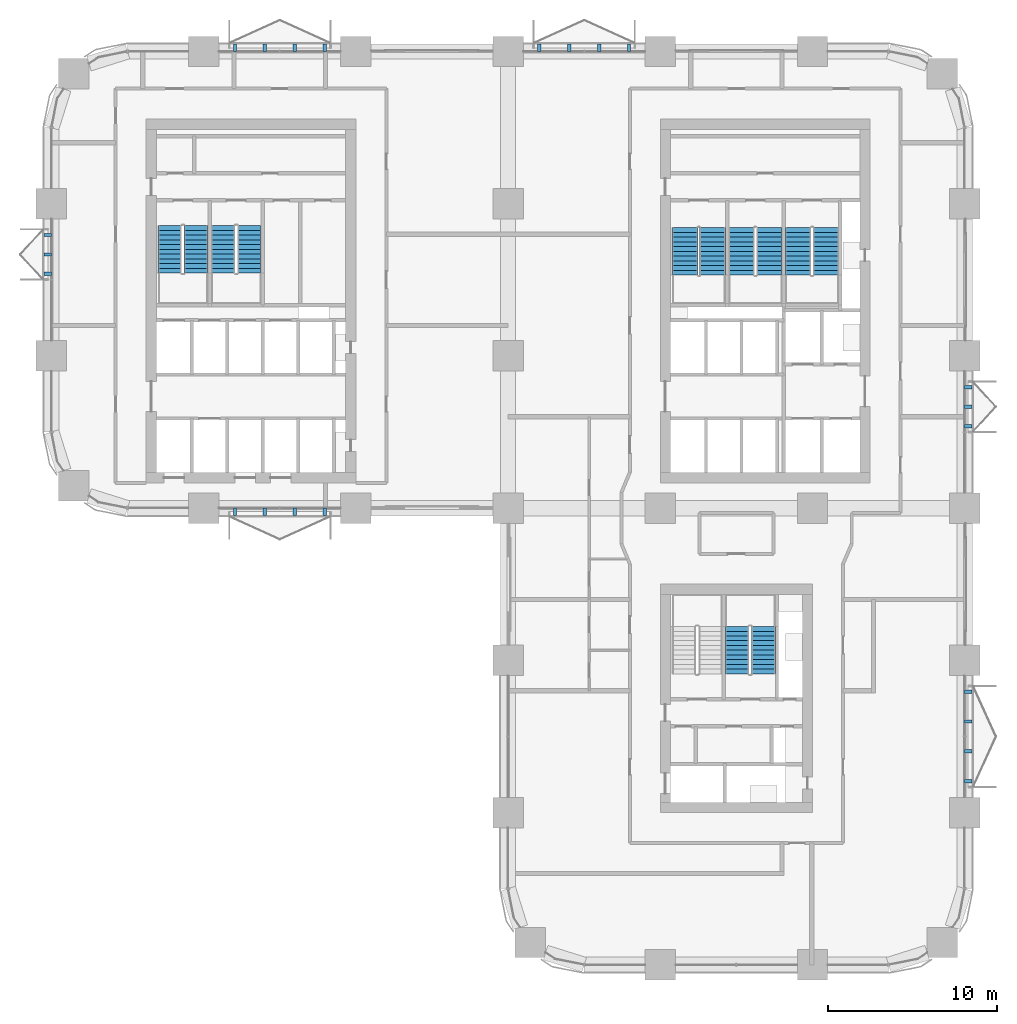
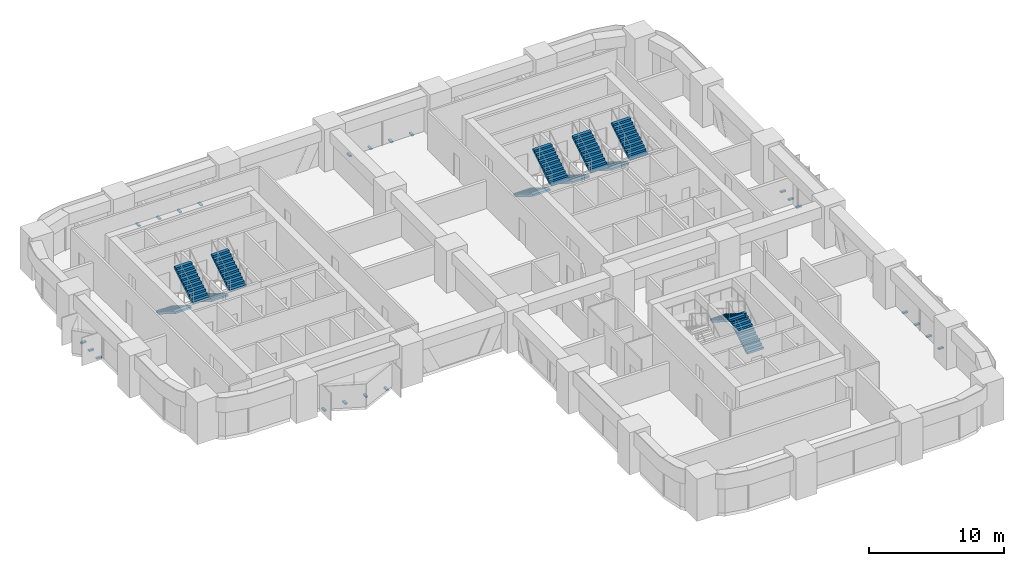
# One storey, part 16 of 18: 22 discrete accessories, 12 stair flights, 6 elements without a shape of their own.
"""IFC4 building model written with IfcOpenShell, lengths in metres."""

from ifc_helpers import new_model, si_unit, direction, frame, origin, origin_2d, place, context, subcontext, project, spatial, polyline, rectangle, outline, extrude, material, type_object, element, aggregate, save


model = new_model("IFC4")

# Units and contexts
model_context = context("Model", 3, precision=1e-05, world=origin(), true_north=direction((0.0, 1.0)))
body_context = subcontext(model_context, "Body", "Model", "MODEL_VIEW")
ifc_project = project(units=[si_unit("LENGTHUNIT", "METRE"), si_unit("AREAUNIT", "SQUARE_METRE"), si_unit("VOLUMEUNIT", "CUBIC_METRE"), si_unit("PLANEANGLEUNIT", "RADIAN"), si_unit("MASSUNIT", "GRAM", prefix="KILO")], contexts=[model_context])

# Site, building, storey
site_placement = place(None, origin())
site = spatial("IfcSite", under=ifc_project, at=site_placement, CompositionType="ELEMENT")
building_placement = place(site_placement, origin())
building = spatial("IfcBuilding", under=site, at=building_placement, Name="Tessera Arch", CompositionType="ELEMENT")
storey_placement = place(building_placement, frame((0.0, 0.0, 89.199951171875)))
storey = spatial("IfcBuildingStorey", under=building, at=storey_placement, Name="L20", CompositionType="ELEMENT", Elevation=89.199951171875)

# Stair, stair flights
ifc_material_1 = material(Name="Concrete C40/50", Category="concrete")
stair_type_1 = type_object("IfcStairType", Name="Dogleg stair 1400", PredefinedType="HALF_TURN_STAIR", material=ifc_material_1)
stair_1_placement = place(storey_placement, origin())
stair_1 = element("IfcStair", 1, at=stair_1_placement, inside=storey, type_object=stair_type_1, Name="L20 S2a", PredefinedType="HALF_TURN_STAIR")
ifc_material_2 = material(Name="Concrete C40/50", Category="concrete")
stair_flight_type_1 = type_object("IfcStairFlightType", Name="Stair flight 1400", PredefinedType="STRAIGHT", material=ifc_material_2)
stair_flight_1_placement = place(storey_placement, frame((7.0, 43.699951171875, 0.0), z_axis=(0.0, 0.0, 1.0), x_axis=(0.0, -1.0, 0.0)))
stair_flight_1 = element("IfcStairFlight", 2, at=stair_flight_1_placement, type_object=stair_flight_type_1, Name="S2a flight 1", NumberOfRisers=11, NumberOfTreads=10, PredefinedType="STRAIGHT", RiserHeight=0.172727273, TreadLength=0.28, context=body_context, shape_type="SweptSolid", body=[
    extrude(outline(polyline([(0.0, 0.0), (0.0, 0.172607421875), (0.280029296875, 0.172607421875), (0.280029296875, 0.345458984375), (0.56005859375, 0.345458984375), (0.56005859375, 0.51806640625), (0.840087890625, 0.51806640625), (0.840087890625, 0.69091796875), (1.1201171875, 0.69091796875), (1.1201171875, 0.863525390625), (1.39990234375, 0.863525390625), (1.39990234375, 1.036376953125), (1.679931640625, 1.036376953125), (1.679931640625, 1.208984375), (1.9599609375, 1.208984375), (1.9599609375, 1.3818359375), (2.239990234375, 1.3818359375), (2.239990234375, 1.554443359375), (2.52001953125, 1.554443359375), (2.52001953125, 1.727294921875), (2.800048828125, 1.727294921875), (2.800048828125, 1.89990234375), (2.800048828125, 1.551025390625), (0.285400390625, 0.0), (0.0, 0.0)])), frame((0.0, 0.699951171875, 0.0), z_axis=(0.0, -1.0, 0.0), x_axis=(1.0, 0.0, 0.0)), (0.0, 0.0, 1.0), 1.39990234375),
])
stair_flight_2_placement = place(storey_placement, frame((8.550048828125, 40.89990234375, 1.900146484375), z_axis=(0.0, 0.0, 1.0), x_axis=(0.0, 1.0, 0.0)))
stair_flight_2 = element("IfcStairFlight", 3, at=stair_flight_2_placement, type_object=stair_flight_type_1, Name="S2a flight 2", NumberOfRisers=11, NumberOfTreads=10, PredefinedType="STRAIGHT", RiserHeight=0.172727273, TreadLength=0.28, context=body_context, shape_type="SweptSolid", body=[
    extrude(outline(polyline([(0.0, 0.0), (0.0, 0.172607421875), (0.280029296875, 0.172607421875), (0.280029296875, 0.345458984375), (0.56005859375, 0.345458984375), (0.56005859375, 0.51806640625), (0.840087890625, 0.51806640625), (0.840087890625, 0.69091796875), (1.1201171875, 0.69091796875), (1.1201171875, 0.863525390625), (1.39990234375, 0.863525390625), (1.39990234375, 1.036376953125), (1.679931640625, 1.036376953125), (1.679931640625, 1.208984375), (1.9599609375, 1.208984375), (1.9599609375, 1.3818359375), (2.239990234375, 1.3818359375), (2.239990234375, 1.554443359375), (2.52001953125, 1.554443359375), (2.52001953125, 1.727294921875), (2.800048828125, 1.727294921875), (2.800048828125, 1.89990234375), (2.800048828125, 1.551025390625), (0.285400390625, 0.0), (0.0, 0.0)])), frame((0.0, 0.699951171875, 0.0), z_axis=(0.0, -1.0, 0.0), x_axis=(1.0, 0.0, 0.0)), (0.0, 0.0, 1.0), 1.39990234375),
])
aggregate(stair_1, [stair_flight_1, stair_flight_2])

stair_2_placement = place(storey_placement, origin())
stair_2 = element("IfcStair", 4, at=stair_2_placement, inside=storey, type_object=stair_type_1, Name="L20 S2b", PredefinedType="HALF_TURN_STAIR")
stair_flight_3_placement = place(storey_placement, frame((10.14990234375, 43.699951171875, 0.0), z_axis=(0.0, 0.0, 1.0), x_axis=(0.0, -1.0, 0.0)))
stair_flight_3 = element("IfcStairFlight", 5, at=stair_flight_3_placement, type_object=stair_flight_type_1, Name="S2b flight 1", NumberOfRisers=11, NumberOfTreads=10, PredefinedType="STRAIGHT", RiserHeight=0.172727273, TreadLength=0.28, context=body_context, shape_type="SweptSolid", body=[
    extrude(outline(polyline([(0.0, 0.0), (0.0, 0.172607421875), (0.280029296875, 0.172607421875), (0.280029296875, 0.345458984375), (0.56005859375, 0.345458984375), (0.56005859375, 0.51806640625), (0.840087890625, 0.51806640625), (0.840087890625, 0.69091796875), (1.1201171875, 0.69091796875), (1.1201171875, 0.863525390625), (1.39990234375, 0.863525390625), (1.39990234375, 1.036376953125), (1.679931640625, 1.036376953125), (1.679931640625, 1.208984375), (1.9599609375, 1.208984375), (1.9599609375, 1.3818359375), (2.239990234375, 1.3818359375), (2.239990234375, 1.554443359375), (2.52001953125, 1.554443359375), (2.52001953125, 1.727294921875), (2.800048828125, 1.727294921875), (2.800048828125, 1.89990234375), (2.800048828125, 1.551025390625), (0.285400390625, 0.0), (0.0, 0.0)])), frame((0.0, 0.699951171875, 0.0), z_axis=(0.0, -1.0, 0.0), x_axis=(1.0, 0.0, 0.0)), (0.0, 0.0, 1.0), 1.39990234375),
])
stair_flight_4_placement = place(storey_placement, frame((11.699951171875, 40.89990234375, 1.900146484375), z_axis=(0.0, 0.0, 1.0), x_axis=(0.0, 1.0, 0.0)))
stair_flight_4 = element("IfcStairFlight", 6, at=stair_flight_4_placement, type_object=stair_flight_type_1, Name="S2b flight 2", NumberOfRisers=11, NumberOfTreads=10, PredefinedType="STRAIGHT", RiserHeight=0.172727273, TreadLength=0.28, context=body_context, shape_type="SweptSolid", body=[
    extrude(outline(polyline([(0.0, 0.0), (0.0, 0.172607421875), (0.280029296875, 0.172607421875), (0.280029296875, 0.345458984375), (0.56005859375, 0.345458984375), (0.56005859375, 0.51806640625), (0.840087890625, 0.51806640625), (0.840087890625, 0.69091796875), (1.1201171875, 0.69091796875), (1.1201171875, 0.863525390625), (1.39990234375, 0.863525390625), (1.39990234375, 1.036376953125), (1.679931640625, 1.036376953125), (1.679931640625, 1.208984375), (1.9599609375, 1.208984375), (1.9599609375, 1.3818359375), (2.239990234375, 1.3818359375), (2.239990234375, 1.554443359375), (2.52001953125, 1.554443359375), (2.52001953125, 1.727294921875), (2.800048828125, 1.727294921875), (2.800048828125, 1.89990234375), (2.800048828125, 1.551025390625), (0.285400390625, 0.0), (0.0, 0.0)])), frame((0.0, 0.699951171875, 0.0), z_axis=(0.0, -1.0, 0.0), x_axis=(1.0, 0.0, 0.0)), (0.0, 0.0, 1.0), 1.39990234375),
])
aggregate(stair_2, [stair_flight_3, stair_flight_4])

stair_3_placement = place(storey_placement, origin())
stair_3 = element("IfcStair", 7, at=stair_3_placement, inside=storey, type_object=stair_type_1, Name="L20 S3b", PredefinedType="HALF_TURN_STAIR")
stair_flight_5_placement = place(storey_placement, frame((42.10009765625, 17.199951171875, 0.0), z_axis=(0.0, 0.0, 1.0), x_axis=(0.0, 1.0, 0.0)))
stair_flight_5 = element("IfcStairFlight", 8, at=stair_flight_5_placement, type_object=stair_flight_type_1, Name="S3b flight 1", NumberOfRisers=11, NumberOfTreads=10, PredefinedType="STRAIGHT", RiserHeight=0.172727273, TreadLength=0.28, context=body_context, shape_type="SweptSolid", body=[
    extrude(outline(polyline([(0.0, 0.0), (0.0, 0.172607421875), (0.280029296875, 0.172607421875), (0.280029296875, 0.345458984375), (0.56005859375, 0.345458984375), (0.56005859375, 0.51806640625), (0.840087890625, 0.51806640625), (0.840087890625, 0.69091796875), (1.1201171875, 0.69091796875), (1.1201171875, 0.863525390625), (1.39990234375, 0.863525390625), (1.39990234375, 1.036376953125), (1.679931640625, 1.036376953125), (1.679931640625, 1.208984375), (1.9599609375, 1.208984375), (1.9599609375, 1.3818359375), (2.239990234375, 1.3818359375), (2.239990234375, 1.554443359375), (2.52001953125, 1.554443359375), (2.52001953125, 1.727294921875), (2.800048828125, 1.727294921875), (2.800048828125, 1.89990234375), (2.800048828125, 1.551025390625), (0.285400390625, 0.0), (0.0, 0.0)])), frame((0.0, 0.699951171875, 0.0), z_axis=(0.0, -1.0, 0.0), x_axis=(1.0, 0.0, 0.0)), (0.0, 0.0, 1.0), 1.39990234375),
])
stair_flight_6_placement = place(storey_placement, frame((40.550048828125, 20.0, 1.900146484375), z_axis=(0.0, 0.0, 1.0), x_axis=(0.0, -1.0, 0.0)))
stair_flight_6 = element("IfcStairFlight", 9, at=stair_flight_6_placement, type_object=stair_flight_type_1, Name="S3b flight 2", NumberOfRisers=11, NumberOfTreads=10, PredefinedType="STRAIGHT", RiserHeight=0.172727273, TreadLength=0.28, context=body_context, shape_type="SweptSolid", body=[
    extrude(outline(polyline([(0.0, 0.0), (0.0, 0.172607421875), (0.280029296875, 0.172607421875), (0.280029296875, 0.345458984375), (0.56005859375, 0.345458984375), (0.56005859375, 0.51806640625), (0.840087890625, 0.51806640625), (0.840087890625, 0.69091796875), (1.1201171875, 0.69091796875), (1.1201171875, 0.863525390625), (1.39990234375, 0.863525390625), (1.39990234375, 1.036376953125), (1.679931640625, 1.036376953125), (1.679931640625, 1.208984375), (1.9599609375, 1.208984375), (1.9599609375, 1.3818359375), (2.239990234375, 1.3818359375), (2.239990234375, 1.554443359375), (2.52001953125, 1.554443359375), (2.52001953125, 1.727294921875), (2.800048828125, 1.727294921875), (2.800048828125, 1.89990234375), (2.800048828125, 1.551025390625), (0.285400390625, 0.0), (0.0, 0.0)])), frame((0.0, 0.699951171875, 0.0), z_axis=(0.0, -1.0, 0.0), x_axis=(1.0, 0.0, 0.0)), (0.0, 0.0, 1.0), 1.39990234375),
])
aggregate(stair_3, [stair_flight_5, stair_flight_6])

ifc_material_3 = material(Name="Concrete C40/50", Category="concrete")
stair_type_2 = type_object("IfcStairType", Name="Dogleg stair 1520", PredefinedType="HALF_TURN_STAIR", material=ifc_material_3)
stair_4_placement = place(storey_placement, origin())
stair_4 = element("IfcStair", 10, at=stair_4_placement, inside=storey, type_object=stair_type_2, Name="L20 S1a", PredefinedType="HALF_TURN_STAIR")
ifc_material_4 = material(Name="Concrete C40/50", Category="concrete")
stair_flight_type_2 = type_object("IfcStairFlightType", Name="Stair flight 1520", PredefinedType="STRAIGHT", material=ifc_material_4)
stair_flight_7_placement = place(storey_placement, frame((37.4599609375, 43.580078125, 0.0), z_axis=(0.0, 0.0, 1.0), x_axis=(0.0, -1.0, 0.0)))
stair_flight_7 = element("IfcStairFlight", 11, at=stair_flight_7_placement, type_object=stair_flight_type_2, Name="S1a flight 1", NumberOfRisers=11, NumberOfTreads=10, PredefinedType="STRAIGHT", RiserHeight=0.172727273, TreadLength=0.28, context=body_context, shape_type="SweptSolid", body=[
    extrude(outline(polyline([(0.0, 0.0), (0.0, 0.172607421875), (0.280029296875, 0.172607421875), (0.280029296875, 0.345458984375), (0.56005859375, 0.345458984375), (0.56005859375, 0.51806640625), (0.840087890625, 0.51806640625), (0.840087890625, 0.69091796875), (1.1201171875, 0.69091796875), (1.1201171875, 0.863525390625), (1.39990234375, 0.863525390625), (1.39990234375, 1.036376953125), (1.679931640625, 1.036376953125), (1.679931640625, 1.208984375), (1.9599609375, 1.208984375), (1.9599609375, 1.3818359375), (2.239990234375, 1.3818359375), (2.239990234375, 1.554443359375), (2.52001953125, 1.554443359375), (2.52001953125, 1.727294921875), (2.800048828125, 1.727294921875), (2.800048828125, 1.89990234375), (2.800048828125, 1.551025390625), (0.285400390625, 0.0), (0.0, 0.0)])), frame((0.0, 0.760009765625, 0.0), z_axis=(0.0, -1.0, 0.0), x_axis=(1.0, 0.0, 0.0)), (0.0, 0.0, 1.0), 1.52001953125),
])
stair_flight_8_placement = place(storey_placement, frame((39.090087890625, 40.780029296875, 1.900146484375), z_axis=(0.0, 0.0, 1.0), x_axis=(0.0, 1.0, 0.0)))
stair_flight_8 = element("IfcStairFlight", 12, at=stair_flight_8_placement, type_object=stair_flight_type_2, Name="S1a flight 2", NumberOfRisers=11, NumberOfTreads=10, PredefinedType="STRAIGHT", RiserHeight=0.172727273, TreadLength=0.28, context=body_context, shape_type="SweptSolid", body=[
    extrude(outline(polyline([(0.0, 0.0), (0.0, 0.172607421875), (0.280029296875, 0.172607421875), (0.280029296875, 0.345458984375), (0.56005859375, 0.345458984375), (0.56005859375, 0.51806640625), (0.840087890625, 0.51806640625), (0.840087890625, 0.69091796875), (1.1201171875, 0.69091796875), (1.1201171875, 0.863525390625), (1.39990234375, 0.863525390625), (1.39990234375, 1.036376953125), (1.679931640625, 1.036376953125), (1.679931640625, 1.208984375), (1.9599609375, 1.208984375), (1.9599609375, 1.3818359375), (2.239990234375, 1.3818359375), (2.239990234375, 1.554443359375), (2.52001953125, 1.554443359375), (2.52001953125, 1.727294921875), (2.800048828125, 1.727294921875), (2.800048828125, 1.89990234375), (2.800048828125, 1.551025390625), (0.285400390625, 0.0), (0.0, 0.0)])), frame((0.0, 0.760009765625, 0.0), z_axis=(0.0, -1.0, 0.0), x_axis=(1.0, 0.0, 0.0)), (0.0, 0.0, 1.0), 1.52001953125),
])
aggregate(stair_4, [stair_flight_7, stair_flight_8])

stair_5_placement = place(storey_placement, origin())
stair_5 = element("IfcStair", 13, at=stair_5_placement, inside=storey, type_object=stair_type_2, Name="L20 S1b", PredefinedType="HALF_TURN_STAIR")
stair_flight_9_placement = place(storey_placement, frame((40.81005859375, 43.580078125, 0.0), z_axis=(0.0, 0.0, 1.0), x_axis=(0.0, -1.0, 0.0)))
stair_flight_9 = element("IfcStairFlight", 14, at=stair_flight_9_placement, type_object=stair_flight_type_2, Name="S1b flight 1", NumberOfRisers=11, NumberOfTreads=10, PredefinedType="STRAIGHT", RiserHeight=0.172727273, TreadLength=0.28, context=body_context, shape_type="SweptSolid", body=[
    extrude(outline(polyline([(0.0, 0.0), (0.0, 0.172607421875), (0.280029296875, 0.172607421875), (0.280029296875, 0.345458984375), (0.56005859375, 0.345458984375), (0.56005859375, 0.51806640625), (0.840087890625, 0.51806640625), (0.840087890625, 0.69091796875), (1.1201171875, 0.69091796875), (1.1201171875, 0.863525390625), (1.39990234375, 0.863525390625), (1.39990234375, 1.036376953125), (1.679931640625, 1.036376953125), (1.679931640625, 1.208984375), (1.9599609375, 1.208984375), (1.9599609375, 1.3818359375), (2.239990234375, 1.3818359375), (2.239990234375, 1.554443359375), (2.52001953125, 1.554443359375), (2.52001953125, 1.727294921875), (2.800048828125, 1.727294921875), (2.800048828125, 1.89990234375), (2.800048828125, 1.551025390625), (0.285400390625, 0.0), (0.0, 0.0)])), frame((0.0, 0.760009765625, 0.0), z_axis=(0.0, -1.0, 0.0), x_axis=(1.0, 0.0, 0.0)), (0.0, 0.0, 1.0), 1.52001953125),
])
stair_flight_10_placement = place(storey_placement, frame((42.43994140625, 40.780029296875, 1.900146484375), z_axis=(0.0, 0.0, 1.0), x_axis=(0.0, 1.0, 0.0)))
stair_flight_10 = element("IfcStairFlight", 15, at=stair_flight_10_placement, type_object=stair_flight_type_2, Name="S1b flight 2", NumberOfRisers=11, NumberOfTreads=10, PredefinedType="STRAIGHT", RiserHeight=0.172727273, TreadLength=0.28, context=body_context, shape_type="SweptSolid", body=[
    extrude(outline(polyline([(0.0, 0.0), (0.0, 0.172607421875), (0.280029296875, 0.172607421875), (0.280029296875, 0.345458984375), (0.56005859375, 0.345458984375), (0.56005859375, 0.51806640625), (0.840087890625, 0.51806640625), (0.840087890625, 0.69091796875), (1.1201171875, 0.69091796875), (1.1201171875, 0.863525390625), (1.39990234375, 0.863525390625), (1.39990234375, 1.036376953125), (1.679931640625, 1.036376953125), (1.679931640625, 1.208984375), (1.9599609375, 1.208984375), (1.9599609375, 1.3818359375), (2.239990234375, 1.3818359375), (2.239990234375, 1.554443359375), (2.52001953125, 1.554443359375), (2.52001953125, 1.727294921875), (2.800048828125, 1.727294921875), (2.800048828125, 1.89990234375), (2.800048828125, 1.551025390625), (0.285400390625, 0.0), (0.0, 0.0)])), frame((0.0, 0.760009765625, 0.0), z_axis=(0.0, -1.0, 0.0), x_axis=(1.0, 0.0, 0.0)), (0.0, 0.0, 1.0), 1.52001953125),
])
aggregate(stair_5, [stair_flight_9, stair_flight_10])

stair_6_placement = place(storey_placement, origin())
stair_6 = element("IfcStair", 16, at=stair_6_placement, inside=storey, type_object=stair_type_2, Name="L20 S1c", PredefinedType="HALF_TURN_STAIR")
stair_flight_11_placement = place(storey_placement, frame((44.159912109375, 43.580078125, 0.0), z_axis=(0.0, 0.0, 1.0), x_axis=(0.0, -1.0, 0.0)))
stair_flight_11 = element("IfcStairFlight", 17, at=stair_flight_11_placement, type_object=stair_flight_type_2, Name="S1c flight 1", NumberOfRisers=11, NumberOfTreads=10, PredefinedType="STRAIGHT", RiserHeight=0.172727273, TreadLength=0.28, context=body_context, shape_type="SweptSolid", body=[
    extrude(outline(polyline([(0.0, 0.0), (0.0, 0.172607421875), (0.280029296875, 0.172607421875), (0.280029296875, 0.345458984375), (0.56005859375, 0.345458984375), (0.56005859375, 0.51806640625), (0.840087890625, 0.51806640625), (0.840087890625, 0.69091796875), (1.1201171875, 0.69091796875), (1.1201171875, 0.863525390625), (1.39990234375, 0.863525390625), (1.39990234375, 1.036376953125), (1.679931640625, 1.036376953125), (1.679931640625, 1.208984375), (1.9599609375, 1.208984375), (1.9599609375, 1.3818359375), (2.239990234375, 1.3818359375), (2.239990234375, 1.554443359375), (2.52001953125, 1.554443359375), (2.52001953125, 1.727294921875), (2.800048828125, 1.727294921875), (2.800048828125, 1.89990234375), (2.800048828125, 1.551025390625), (0.285400390625, 0.0), (0.0, 0.0)])), frame((0.0, 0.760009765625, 0.0), z_axis=(0.0, -1.0, 0.0), x_axis=(1.0, 0.0, 0.0)), (0.0, 0.0, 1.0), 1.52001953125),
])
stair_flight_12_placement = place(storey_placement, frame((45.7900390625, 40.780029296875, 1.900146484375), z_axis=(0.0, 0.0, 1.0), x_axis=(0.0, 1.0, 0.0)))
stair_flight_12 = element("IfcStairFlight", 18, at=stair_flight_12_placement, type_object=stair_flight_type_2, Name="S1c flight 2", NumberOfRisers=11, NumberOfTreads=10, PredefinedType="STRAIGHT", RiserHeight=0.172727273, TreadLength=0.28, context=body_context, shape_type="SweptSolid", body=[
    extrude(outline(polyline([(0.0, 0.0), (0.0, 0.172607421875), (0.280029296875, 0.172607421875), (0.280029296875, 0.345458984375), (0.56005859375, 0.345458984375), (0.56005859375, 0.51806640625), (0.840087890625, 0.51806640625), (0.840087890625, 0.69091796875), (1.1201171875, 0.69091796875), (1.1201171875, 0.863525390625), (1.39990234375, 0.863525390625), (1.39990234375, 1.036376953125), (1.679931640625, 1.036376953125), (1.679931640625, 1.208984375), (1.9599609375, 1.208984375), (1.9599609375, 1.3818359375), (2.239990234375, 1.3818359375), (2.239990234375, 1.554443359375), (2.52001953125, 1.554443359375), (2.52001953125, 1.727294921875), (2.800048828125, 1.727294921875), (2.800048828125, 1.89990234375), (2.800048828125, 1.551025390625), (0.285400390625, 0.0), (0.0, 0.0)])), frame((0.0, 0.760009765625, 0.0), z_axis=(0.0, -1.0, 0.0), x_axis=(1.0, 0.0, 0.0)), (0.0, 0.0, 1.0), 1.52001953125),
])
aggregate(stair_6, [stair_flight_11, stair_flight_12])

# Discrete accessories
for number, where, z_axis, x_axis, name in (
    (19, (-0.219970703125, 43.14990234375, -0.1201171875), (0.0, 0.0, 1.0), (-1.0, 0.0, 0.0), "Window box bracket"),
    (20, (-0.219970703125, 42.0, -0.1201171875), (0.0, 0.0, 1.0), (-1.0, 0.0, 0.0), "Window box bracket"),
    (21, (-0.219970703125, 40.85009765625, -0.1201171875), (0.0, 0.0, 1.0), (-1.0, 0.0, 0.0), "Window box bracket"),
    (22, (10.85009765625, 26.780029296875, -0.1201171875), (0.0, 0.0, 1.0), (0.0, -1.0, 0.0), "Window box bracket"),
    (23, (12.61669921875, 26.780029296875, -0.1201171875), (0.0, 0.0, 1.0), (0.0, -1.0, 0.0), "Window box bracket"),
    (24, (14.38330078125, 26.780029296875, -0.1201171875), (0.0, 0.0, 1.0), (0.0, -1.0, 0.0), "Window box bracket"),
    (25, (16.14990234375, 26.780029296875, -0.1201171875), (0.0, 0.0, 1.0), (0.0, -1.0, 0.0), "Window box bracket"),
    (26, (54.219970703125, 31.85009765625, -0.1201171875), (0.0, 0.0, 1.0), (1.0, 0.0, 0.0), "Window box bracket"),
    (27, (54.219970703125, 33.0, -0.1201171875), (0.0, 0.0, 1.0), (1.0, 0.0, 0.0), "Window box bracket"),
    (28, (54.219970703125, 34.14990234375, -0.1201171875), (0.0, 0.0, 1.0), (1.0, 0.0, 0.0), "Window box bracket"),
    (29, (34.14990234375, 54.219970703125, -0.1201171875), (0.0, 0.0, 1.0), (0.0, 1.0, 0.0), "Window box bracket"),
    (30, (32.38330078125, 54.219970703125, -0.1201171875), (0.0, 0.0, 1.0), (0.0, 1.0, 0.0), "Window box bracket"),
    (31, (30.61669921875, 54.219970703125, -0.1201171875), (0.0, 0.0, 1.0), (0.0, 1.0, 0.0), "Window box bracket"),
    (32, (28.85009765625, 54.219970703125, -0.1201171875), (0.0, 0.0, 1.0), (0.0, 1.0, 0.0), "Window box bracket"),
    (33, (54.219970703125, 10.85009765625, -0.1201171875), (0.0, 0.0, 1.0), (1.0, 0.0, 0.0), "Window box bracket"),
    (34, (54.219970703125, 12.61669921875, -0.1201171875), (0.0, 0.0, 1.0), (1.0, 0.0, 0.0), "Window box bracket"),
    (35, (54.219970703125, 14.38330078125, -0.1201171875), (0.0, 0.0, 1.0), (1.0, 0.0, 0.0), "Window box bracket"),
    (36, (54.219970703125, 16.14990234375, -0.1201171875), (0.0, 0.0, 1.0), (1.0, 0.0, 0.0), "Window box bracket"),
    (37, (16.14990234375, 54.219970703125, -0.1201171875), (0.0, 0.0, 1.0), (0.0, 1.0, 0.0), "Window box bracket"),
    (38, (14.38330078125, 54.219970703125, -0.1201171875), (0.0, 0.0, 1.0), (0.0, 1.0, 0.0), "Window box bracket"),
    (39, (12.61669921875, 54.219970703125, -0.1201171875), (0.0, 0.0, 1.0), (0.0, 1.0, 0.0), "Window box bracket"),
    (40, (10.85009765625, 54.219970703125, -0.1201171875), (0.0, 0.0, 1.0), (0.0, 1.0, 0.0), "Window box bracket"),
):
    element("IfcDiscreteAccessory", number, at=place(storey_placement, frame(where, z_axis=z_axis, x_axis=x_axis)), inside=storey, Name=name, PredefinedType="BRACKET", context=body_context, shape_type="SweptSolid", body=[
        extrude(rectangle(XDim=0.43994140625, YDim=0.199951171875, at=origin_2d()), origin(), (0.0, 0.0, 1.0), 0.1201171875),
    ])

save(model, "model.ifc")
